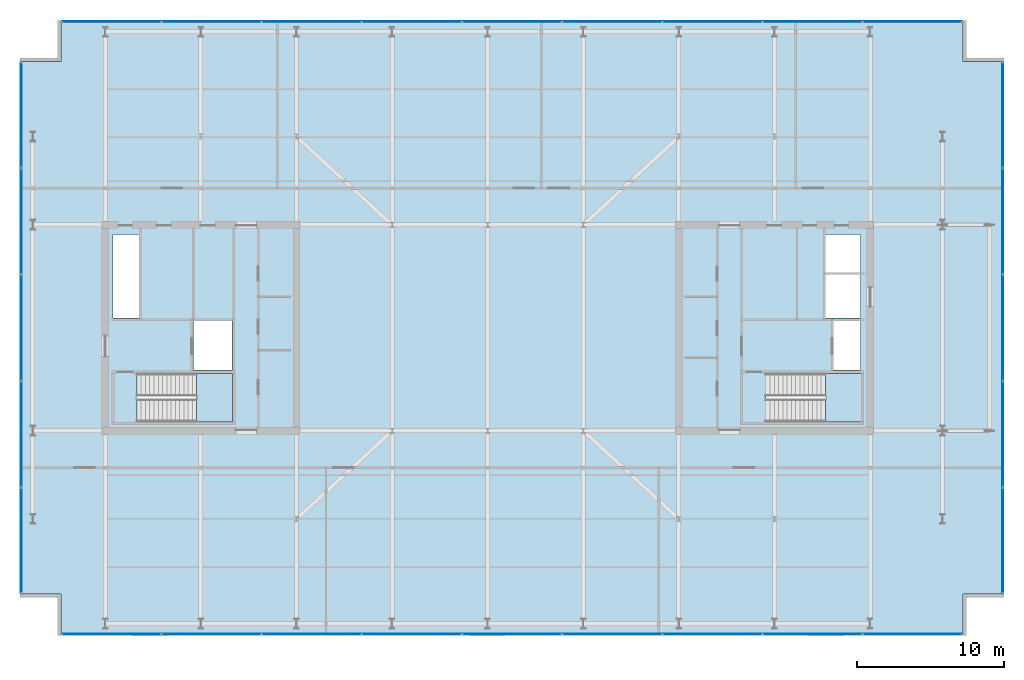
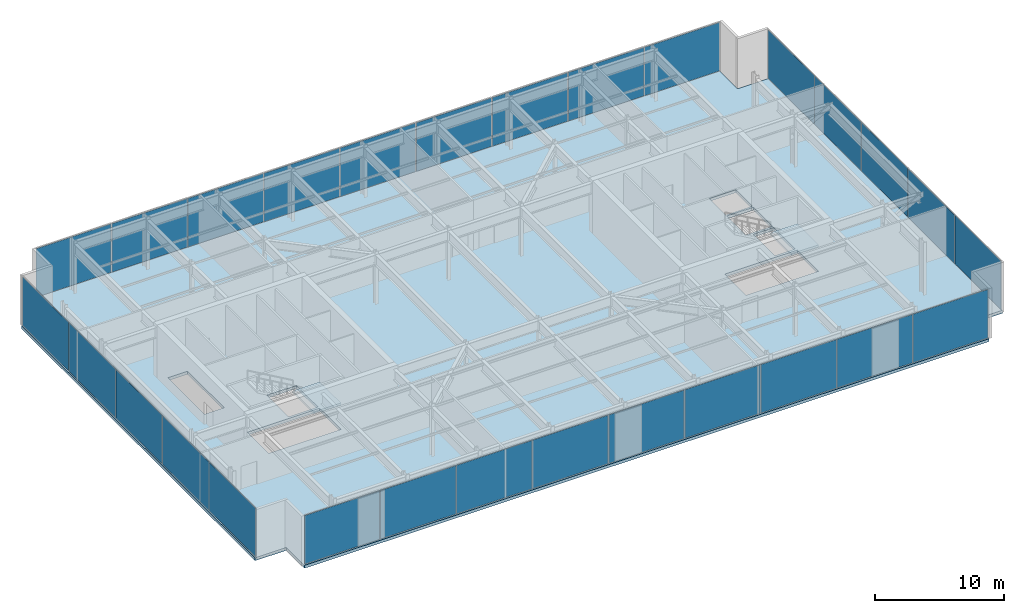
# One storey, part 16 of 23: 28 plates, 3 slabs, 6 elements without a shape of their own.
"""IFC4 building model written with IfcOpenShell, lengths in metres."""

from ifc_helpers import new_model, si_unit, direction, frame, origin, origin_2d, place, context, subcontext, project, spatial, polyline, rectangle, outline, extrude, material, layer, layer_set, type_object, element, aggregate, save


model = new_model("IFC4")

# Units and contexts
model_context = context("Model", 3, precision=1e-05, world=origin(), true_north=direction((0.0, 1.0)))
body_context = subcontext(model_context, "Body", "Model", "MODEL_VIEW")
ifc_project = project(units=[si_unit("LENGTHUNIT", "METRE"), si_unit("AREAUNIT", "SQUARE_METRE"), si_unit("VOLUMEUNIT", "CUBIC_METRE"), si_unit("PLANEANGLEUNIT", "RADIAN"), si_unit("MASSUNIT", "GRAM", prefix="KILO")], contexts=[model_context])

# Site, building, storey
site_placement = place(None, origin())
site = spatial("IfcSite", under=ifc_project, at=site_placement, CompositionType="ELEMENT")
building_placement = place(site_placement, origin())
building = spatial("IfcBuilding", under=site, at=building_placement, Name="Putna Gate Headquarters", CompositionType="ELEMENT")
storey_placement = place(building_placement, frame((0.0, 0.0, 310.39990234375)))
storey = spatial("IfcBuildingStorey", under=building, at=storey_placement, Name="L78", CompositionType="ELEMENT", Elevation=310.39990234375)

# Stair, slab
ifc_material_1 = material(Name="Concrete C40/50", Category="concrete")
stair_type_1 = type_object("IfcStairType", Name="STAIR-ST1", PredefinedType="HALF_TURN_STAIR", material=ifc_material_1)
stair_1_placement = place(storey_placement, origin())
stair_1 = element("IfcStair", 1, at=stair_1_placement, inside=storey, type_object=stair_type_1, Name="L78 West Core Exit Stair ST1", PredefinedType="HALF_TURN_STAIR")
ifc_layer_1 = layer(ifc_material_1, 0.199951171875)
ifc_layer_set_1 = layer_set([ifc_layer_1], Name="Concrete C40/50")
slab_type_1 = type_object("IfcSlabType", Name="LANDING-ST1", PredefinedType="LANDING", material=ifc_layer_set_1)
slab_1_placement = place(storey_placement, frame((0.0, 0.0, 2.300048828125)))
slab_1 = element("IfcSlab", 2, at=slab_1_placement, type_object=slab_type_1, Name="ST1 landing 1", PredefinedType="LANDING", context=body_context, shape_type="SweptSolid", body=[
    extrude(outline(polyline([(19.2099609375, 19.60009765625), (21.64990234375, 19.60009765625), (21.64990234375, 22.89990234375), (19.2099609375, 22.89990234375), (19.2099609375, 19.60009765625)])), origin(), (0.0, 0.0, 1.0), 0.199951171875),
])
aggregate(stair_1, [slab_1])

stair_type_2 = type_object("IfcStairType", Name="STAIR-ST2", PredefinedType="HALF_TURN_STAIR", material=ifc_material_1)
stair_2_placement = place(storey_placement, origin())
stair_2 = element("IfcStair", 3, at=stair_2_placement, inside=storey, type_object=stair_type_2, Name="L78 East Core Exit Stair ST2", PredefinedType="HALF_TURN_STAIR")
ifc_layer_2 = layer(ifc_material_1, 0.199951171875)
ifc_layer_set_2 = layer_set([ifc_layer_2], Name="Concrete C40/50")
slab_type_2 = type_object("IfcSlabType", Name="LANDING-ST2", PredefinedType="LANDING", material=ifc_layer_set_2)
slab_2_placement = place(storey_placement, frame((0.0, 0.0, 2.300048828125)))
slab_2 = element("IfcSlab", 4, at=slab_2_placement, type_object=slab_type_2, Name="ST2 landing 1", PredefinedType="LANDING", context=body_context, shape_type="SweptSolid", body=[
    extrude(outline(polyline([(61.9599609375, 19.60009765625), (64.39990234375, 19.60009765625), (64.39990234375, 22.89990234375), (61.9599609375, 22.89990234375), (61.9599609375, 19.60009765625)])), origin(), (0.0, 0.0, 1.0), 0.199951171875),
])
aggregate(stair_2, [slab_2])

# Curtain wall, plates
ifc_material_2 = material(Name="Anodised bronze aluminium curtain wall", Category="aluminium")
ifc_layer_3 = layer(ifc_material_2, 0.159912109375)
ifc_layer_set_3 = layer_set([ifc_layer_3], Name="Anodised bronze aluminium curtain wall")
curtain_wall_type = type_object("IfcCurtainWallType", Name="CW-SYS-CRN", PredefinedType="USERDEFINED", material=ifc_layer_set_3)
curtain_wall_1_placement = place(storey_placement, origin())
curtain_wall_1 = element("IfcCurtainWall", 5, at=curtain_wall_1_placement, inside=storey, type_object=curtain_wall_type, Name="L78 Acoustic Louvre South Enclosure", ObjectType="STICK CURTAIN WALL", PredefinedType="USERDEFINED")
ifc_material_3 = material(Name="Anodised bronze acoustic louvre panel", Category="aluminium")
ifc_layer_4 = layer(ifc_material_3, 0.044921875)
ifc_layer_set_4 = layer_set([ifc_layer_4], Name="Anodised bronze acoustic louvre panel")
plate_type = type_object("IfcPlateType", Name="PAN-CWP-CR", PredefinedType="CURTAIN_PANEL", material=ifc_layer_set_4)
plate_1_placement = place(storey_placement, frame((13.421875, 5.179931640625, 0.06494140625), z_axis=(0.0, 0.0, 1.0), x_axis=(1.0, 0.0, 0.0)))
plate_1 = element("IfcPlate", 6, at=plate_1_placement, type_object=plate_type, Name="CWS-CR panel 1.1", PredefinedType="CURTAIN_PANEL", context=body_context, shape_type="SweptSolid", body=[
    extrude(rectangle(XDim=6.713623046875, YDim=0.044921875, at=origin_2d()), origin(), (0.0, 0.0, 1.0), 4.590087890625),
])
plate_2_placement = place(storey_placement, frame((20.216552734375, 5.179931640625, 0.06494140625), z_axis=(0.0, 0.0, 1.0), x_axis=(1.0, 0.0, 0.0)))
plate_2 = element("IfcPlate", 7, at=plate_2_placement, type_object=plate_type, Name="CWS-CR panel 2.1", PredefinedType="CURTAIN_PANEL", context=body_context, shape_type="SweptSolid", body=[
    extrude(rectangle(XDim=6.74609375, YDim=0.044921875, at=origin_2d()), origin(), (0.0, 0.0, 1.0), 4.590087890625),
])
plate_3_placement = place(storey_placement, frame((27.02783203125, 5.179931640625, 0.06494140625), z_axis=(0.0, 0.0, 1.0), x_axis=(1.0, 0.0, 0.0)))
plate_3 = element("IfcPlate", 8, at=plate_3_placement, type_object=plate_type, Name="CWS-CR panel 3.1", PredefinedType="CURTAIN_PANEL", context=body_context, shape_type="SweptSolid", body=[
    extrude(rectangle(XDim=6.74609375, YDim=0.044921875, at=origin_2d()), origin(), (0.0, 0.0, 1.0), 4.590087890625),
])
plate_4_placement = place(storey_placement, frame((33.8388671875, 5.179931640625, 0.06494140625), z_axis=(0.0, 0.0, 1.0), x_axis=(1.0, 0.0, 0.0)))
plate_4 = element("IfcPlate", 9, at=plate_4_placement, type_object=plate_type, Name="CWS-CR panel 4.1", PredefinedType="CURTAIN_PANEL", context=body_context, shape_type="SweptSolid", body=[
    extrude(rectangle(XDim=6.74609375, YDim=0.044921875, at=origin_2d()), origin(), (0.0, 0.0, 1.0), 4.590087890625),
])
plate_5_placement = place(storey_placement, frame((40.64990234375, 5.179931640625, 0.06494140625), z_axis=(0.0, 0.0, 1.0), x_axis=(1.0, 0.0, 0.0)))
plate_5 = element("IfcPlate", 10, at=plate_5_placement, type_object=plate_type, Name="CWS-CR panel 5.1", PredefinedType="CURTAIN_PANEL", context=body_context, shape_type="SweptSolid", body=[
    extrude(rectangle(XDim=6.74609375, YDim=0.044921875, at=origin_2d()), origin(), (0.0, 0.0, 1.0), 4.590087890625),
])
plate_6_placement = place(storey_placement, frame((47.461181640625, 5.179931640625, 0.06494140625), z_axis=(0.0, 0.0, 1.0), x_axis=(1.0, 0.0, 0.0)))
plate_6 = element("IfcPlate", 11, at=plate_6_placement, type_object=plate_type, Name="CWS-CR panel 6.1", PredefinedType="CURTAIN_PANEL", context=body_context, shape_type="SweptSolid", body=[
    extrude(rectangle(XDim=6.74609375, YDim=0.044921875, at=origin_2d()), origin(), (0.0, 0.0, 1.0), 4.590087890625),
])
plate_7_placement = place(storey_placement, frame((54.272216796875, 5.179931640625, 0.06494140625), z_axis=(0.0, 0.0, 1.0), x_axis=(1.0, 0.0, 0.0)))
plate_7 = element("IfcPlate", 12, at=plate_7_placement, type_object=plate_type, Name="CWS-CR panel 7.1", PredefinedType="CURTAIN_PANEL", context=body_context, shape_type="SweptSolid", body=[
    extrude(rectangle(XDim=6.74609375, YDim=0.044921875, at=origin_2d()), origin(), (0.0, 0.0, 1.0), 4.590087890625),
])
plate_8_placement = place(storey_placement, frame((61.083251953125, 5.179931640625, 0.06494140625), z_axis=(0.0, 0.0, 1.0), x_axis=(1.0, 0.0, 0.0)))
plate_8 = element("IfcPlate", 13, at=plate_8_placement, type_object=plate_type, Name="CWS-CR panel 8.1", PredefinedType="CURTAIN_PANEL", context=body_context, shape_type="SweptSolid", body=[
    extrude(rectangle(XDim=6.74609375, YDim=0.044921875, at=origin_2d()), origin(), (0.0, 0.0, 1.0), 4.590087890625),
])
plate_9_placement = place(storey_placement, frame((67.878173828125, 5.179931640625, 0.06494140625), z_axis=(0.0, 0.0, 1.0), x_axis=(1.0, 0.0, 0.0)))
plate_9 = element("IfcPlate", 14, at=plate_9_placement, type_object=plate_type, Name="CWS-CR panel 9.1", PredefinedType="CURTAIN_PANEL", context=body_context, shape_type="SweptSolid", body=[
    extrude(rectangle(XDim=6.713623046875, YDim=0.044921875, at=origin_2d()), origin(), (0.0, 0.0, 1.0), 4.590087890625),
])
aggregate(curtain_wall_1, [plate_1, plate_2, plate_3, plate_4, plate_5, plate_6, plate_7, plate_8, plate_9])

curtain_wall_2_placement = place(storey_placement, origin())
curtain_wall_2 = element("IfcCurtainWall", 15, at=curtain_wall_2_placement, inside=storey, type_object=curtain_wall_type, Name="L78 Acoustic Louvre North Enclosure", ObjectType="STICK CURTAIN WALL", PredefinedType="USERDEFINED")
plate_10_placement = place(storey_placement, frame((13.421875, 46.820068359375, 0.06494140625), z_axis=(0.0, 0.0, 1.0), x_axis=(1.0, 0.0, 0.0)))
plate_10 = element("IfcPlate", 16, at=plate_10_placement, type_object=plate_type, Name="CWS-CR panel 1.1", PredefinedType="CURTAIN_PANEL", context=body_context, shape_type="SweptSolid", body=[
    extrude(rectangle(XDim=6.713623046875, YDim=0.044921875, at=origin_2d()), origin(), (0.0, 0.0, 1.0), 4.590087890625),
])
plate_11_placement = place(storey_placement, frame((20.216552734375, 46.820068359375, 0.06494140625), z_axis=(0.0, 0.0, 1.0), x_axis=(1.0, 0.0, 0.0)))
plate_11 = element("IfcPlate", 17, at=plate_11_placement, type_object=plate_type, Name="CWS-CR panel 2.1", PredefinedType="CURTAIN_PANEL", context=body_context, shape_type="SweptSolid", body=[
    extrude(rectangle(XDim=6.74609375, YDim=0.044921875, at=origin_2d()), origin(), (0.0, 0.0, 1.0), 4.590087890625),
])
plate_12_placement = place(storey_placement, frame((27.02783203125, 46.820068359375, 0.06494140625), z_axis=(0.0, 0.0, 1.0), x_axis=(1.0, 0.0, 0.0)))
plate_12 = element("IfcPlate", 18, at=plate_12_placement, type_object=plate_type, Name="CWS-CR panel 3.1", PredefinedType="CURTAIN_PANEL", context=body_context, shape_type="SweptSolid", body=[
    extrude(rectangle(XDim=6.74609375, YDim=0.044921875, at=origin_2d()), origin(), (0.0, 0.0, 1.0), 4.590087890625),
])
plate_13_placement = place(storey_placement, frame((33.8388671875, 46.820068359375, 0.06494140625), z_axis=(0.0, 0.0, 1.0), x_axis=(1.0, 0.0, 0.0)))
plate_13 = element("IfcPlate", 19, at=plate_13_placement, type_object=plate_type, Name="CWS-CR panel 4.1", PredefinedType="CURTAIN_PANEL", context=body_context, shape_type="SweptSolid", body=[
    extrude(rectangle(XDim=6.74609375, YDim=0.044921875, at=origin_2d()), origin(), (0.0, 0.0, 1.0), 4.590087890625),
])
plate_14_placement = place(storey_placement, frame((40.64990234375, 46.820068359375, 0.06494140625), z_axis=(0.0, 0.0, 1.0), x_axis=(1.0, 0.0, 0.0)))
plate_14 = element("IfcPlate", 20, at=plate_14_placement, type_object=plate_type, Name="CWS-CR panel 5.1", PredefinedType="CURTAIN_PANEL", context=body_context, shape_type="SweptSolid", body=[
    extrude(rectangle(XDim=6.74609375, YDim=0.044921875, at=origin_2d()), origin(), (0.0, 0.0, 1.0), 4.590087890625),
])
plate_15_placement = place(storey_placement, frame((47.461181640625, 46.820068359375, 0.06494140625), z_axis=(0.0, 0.0, 1.0), x_axis=(1.0, 0.0, 0.0)))
plate_15 = element("IfcPlate", 21, at=plate_15_placement, type_object=plate_type, Name="CWS-CR panel 6.1", PredefinedType="CURTAIN_PANEL", context=body_context, shape_type="SweptSolid", body=[
    extrude(rectangle(XDim=6.74609375, YDim=0.044921875, at=origin_2d()), origin(), (0.0, 0.0, 1.0), 4.590087890625),
])
plate_16_placement = place(storey_placement, frame((54.272216796875, 46.820068359375, 0.06494140625), z_axis=(0.0, 0.0, 1.0), x_axis=(1.0, 0.0, 0.0)))
plate_16 = element("IfcPlate", 22, at=plate_16_placement, type_object=plate_type, Name="CWS-CR panel 7.1", PredefinedType="CURTAIN_PANEL", context=body_context, shape_type="SweptSolid", body=[
    extrude(rectangle(XDim=6.74609375, YDim=0.044921875, at=origin_2d()), origin(), (0.0, 0.0, 1.0), 4.590087890625),
])
plate_17_placement = place(storey_placement, frame((61.083251953125, 46.820068359375, 0.06494140625), z_axis=(0.0, 0.0, 1.0), x_axis=(1.0, 0.0, 0.0)))
plate_17 = element("IfcPlate", 23, at=plate_17_placement, type_object=plate_type, Name="CWS-CR panel 8.1", PredefinedType="CURTAIN_PANEL", context=body_context, shape_type="SweptSolid", body=[
    extrude(rectangle(XDim=6.74609375, YDim=0.044921875, at=origin_2d()), origin(), (0.0, 0.0, 1.0), 4.590087890625),
])
plate_18_placement = place(storey_placement, frame((67.878173828125, 46.820068359375, 0.06494140625), z_axis=(0.0, 0.0, 1.0), x_axis=(1.0, 0.0, 0.0)))
plate_18 = element("IfcPlate", 24, at=plate_18_placement, type_object=plate_type, Name="CWS-CR panel 9.1", PredefinedType="CURTAIN_PANEL", context=body_context, shape_type="SweptSolid", body=[
    extrude(rectangle(XDim=6.713623046875, YDim=0.044921875, at=origin_2d()), origin(), (0.0, 0.0, 1.0), 4.590087890625),
])
aggregate(curtain_wall_2, [plate_10, plate_11, plate_12, plate_13, plate_14, plate_15, plate_16, plate_17, plate_18])

curtain_wall_3_placement = place(storey_placement, origin())
curtain_wall_3 = element("IfcCurtainWall", 25, at=curtain_wall_3_placement, inside=storey, type_object=curtain_wall_type, Name="L78 Acoustic Louvre West Enclosure", ObjectType="STICK CURTAIN WALL", PredefinedType="USERDEFINED")
plate_19_placement = place(storey_placement, frame((7.280029296875, 11.5361328125, 0.06494140625), z_axis=(0.0, 0.0, 1.0), x_axis=(0.0, 1.0, 0.0)))
plate_19 = element("IfcPlate", 26, at=plate_19_placement, type_object=plate_type, Name="CWS-CR panel 1.1", PredefinedType="CURTAIN_PANEL", context=body_context, shape_type="SweptSolid", body=[
    extrude(rectangle(XDim=7.142578125, YDim=0.044921875, at=origin_2d()), origin(), (0.0, 0.0, 1.0), 4.590087890625),
])
plate_20_placement = place(storey_placement, frame((7.280029296875, 18.760009765625, 0.06494140625), z_axis=(0.0, 0.0, 1.0), x_axis=(0.0, 1.0, 0.0)))
plate_20 = element("IfcPlate", 27, at=plate_20_placement, type_object=plate_type, Name="CWS-CR panel 2.1", PredefinedType="CURTAIN_PANEL", context=body_context, shape_type="SweptSolid", body=[
    extrude(rectangle(XDim=7.175048828125, YDim=0.044921875, at=origin_2d()), origin(), (0.0, 0.0, 1.0), 4.590087890625),
])
plate_21_placement = place(storey_placement, frame((7.280029296875, 26.0, 0.06494140625), z_axis=(0.0, 0.0, 1.0), x_axis=(0.0, 1.0, 0.0)))
plate_21 = element("IfcPlate", 28, at=plate_21_placement, type_object=plate_type, Name="CWS-CR panel 3.1", PredefinedType="CURTAIN_PANEL", context=body_context, shape_type="SweptSolid", body=[
    extrude(rectangle(XDim=7.175048828125, YDim=0.044921875, at=origin_2d()), origin(), (0.0, 0.0, 1.0), 4.590087890625),
])
plate_22_placement = place(storey_placement, frame((7.280029296875, 33.239990234375, 0.06494140625), z_axis=(0.0, 0.0, 1.0), x_axis=(0.0, 1.0, 0.0)))
plate_22 = element("IfcPlate", 29, at=plate_22_placement, type_object=plate_type, Name="CWS-CR panel 4.1", PredefinedType="CURTAIN_PANEL", context=body_context, shape_type="SweptSolid", body=[
    extrude(rectangle(XDim=7.175048828125, YDim=0.044921875, at=origin_2d()), origin(), (0.0, 0.0, 1.0), 4.590087890625),
])
plate_23_placement = place(storey_placement, frame((7.280029296875, 40.4638671875, 0.06494140625), z_axis=(0.0, 0.0, 1.0), x_axis=(0.0, 1.0, 0.0)))
plate_23 = element("IfcPlate", 30, at=plate_23_placement, type_object=plate_type, Name="CWS-CR panel 5.1", PredefinedType="CURTAIN_PANEL", context=body_context, shape_type="SweptSolid", body=[
    extrude(rectangle(XDim=7.142578125, YDim=0.044921875, at=origin_2d()), origin(), (0.0, 0.0, 1.0), 4.590087890625),
])
aggregate(curtain_wall_3, [plate_19, plate_20, plate_21, plate_22, plate_23])

curtain_wall_4_placement = place(storey_placement, origin())
curtain_wall_4 = element("IfcCurtainWall", 31, at=curtain_wall_4_placement, inside=storey, type_object=curtain_wall_type, Name="L78 Acoustic Louvre East Enclosure", ObjectType="STICK CURTAIN WALL", PredefinedType="USERDEFINED")
plate_24_placement = place(storey_placement, frame((74.02001953125, 11.5361328125, 0.06494140625), z_axis=(0.0, 0.0, 1.0), x_axis=(0.0, 1.0, 0.0)))
plate_24 = element("IfcPlate", 32, at=plate_24_placement, type_object=plate_type, Name="CWS-CR panel 1.1", PredefinedType="CURTAIN_PANEL", context=body_context, shape_type="SweptSolid", body=[
    extrude(rectangle(XDim=7.142578125, YDim=0.044921875, at=origin_2d()), origin(), (0.0, 0.0, 1.0), 4.590087890625),
])
plate_25_placement = place(storey_placement, frame((74.02001953125, 18.760009765625, 0.06494140625), z_axis=(0.0, 0.0, 1.0), x_axis=(0.0, 1.0, 0.0)))
plate_25 = element("IfcPlate", 33, at=plate_25_placement, type_object=plate_type, Name="CWS-CR panel 2.1", PredefinedType="CURTAIN_PANEL", context=body_context, shape_type="SweptSolid", body=[
    extrude(rectangle(XDim=7.175048828125, YDim=0.044921875, at=origin_2d()), origin(), (0.0, 0.0, 1.0), 4.590087890625),
])
plate_26_placement = place(storey_placement, frame((74.02001953125, 26.0, 0.06494140625), z_axis=(0.0, 0.0, 1.0), x_axis=(0.0, 1.0, 0.0)))
plate_26 = element("IfcPlate", 34, at=plate_26_placement, type_object=plate_type, Name="CWS-CR panel 3.1", PredefinedType="CURTAIN_PANEL", context=body_context, shape_type="SweptSolid", body=[
    extrude(rectangle(XDim=7.175048828125, YDim=0.044921875, at=origin_2d()), origin(), (0.0, 0.0, 1.0), 4.590087890625),
])
plate_27_placement = place(storey_placement, frame((74.02001953125, 33.239990234375, 0.06494140625), z_axis=(0.0, 0.0, 1.0), x_axis=(0.0, 1.0, 0.0)))
plate_27 = element("IfcPlate", 35, at=plate_27_placement, type_object=plate_type, Name="CWS-CR panel 4.1", PredefinedType="CURTAIN_PANEL", context=body_context, shape_type="SweptSolid", body=[
    extrude(rectangle(XDim=7.175048828125, YDim=0.044921875, at=origin_2d()), origin(), (0.0, 0.0, 1.0), 4.590087890625),
])
plate_28_placement = place(storey_placement, frame((74.02001953125, 40.4638671875, 0.06494140625), z_axis=(0.0, 0.0, 1.0), x_axis=(0.0, 1.0, 0.0)))
plate_28 = element("IfcPlate", 36, at=plate_28_placement, type_object=plate_type, Name="CWS-CR panel 5.1", PredefinedType="CURTAIN_PANEL", context=body_context, shape_type="SweptSolid", body=[
    extrude(rectangle(XDim=7.142578125, YDim=0.044921875, at=origin_2d()), origin(), (0.0, 0.0, 1.0), 4.590087890625),
])
aggregate(curtain_wall_4, [plate_24, plate_25, plate_26, plate_27, plate_28])

# Slab
ifc_layer_5 = layer(ifc_material_1, 0.280029296875)
ifc_layer_set_5 = layer_set([ifc_layer_5], Name="Concrete C40/50")
slab_type_3 = type_object("IfcSlabType", Name="SLAB-PLANT-280", PredefinedType="FLOOR", material=ifc_layer_set_5)
slab_3_placement = place(storey_placement, frame((0.0, 0.0, -0.27978515625)))
element("IfcSlab", 37, at=slab_3_placement, inside=storey, type_object=slab_type_3, Name="L78 Composite Floor Slab", PredefinedType="FLOOR", context=body_context, shape_type="SweptSolid", body=[
    extrude(outline(polyline([(10.0, 5.10009765625), (71.300048828125, 5.10009765625), (71.300048828125, 7.89990234375), (74.10009765625, 7.89990234375), (74.10009765625, 44.10009765625), (71.300048828125, 44.10009765625), (71.300048828125, 46.89990234375), (10.0, 46.89990234375), (10.0, 44.10009765625), (7.199951171875, 44.10009765625), (7.199951171875, 7.89990234375), (10.0, 7.89990234375), (10.0, 5.10009765625)]), holes=[polyline([(15.1650390625, 19.60009765625), (21.64990234375, 19.60009765625), (21.64990234375, 22.89990234375), (15.1650390625, 22.89990234375), (15.1650390625, 19.60009765625)]), polyline([(57.9150390625, 19.60009765625), (64.39990234375, 19.60009765625), (64.39990234375, 22.89990234375), (57.9150390625, 22.89990234375), (57.9150390625, 19.60009765625)]), polyline([(13.52001953125, 26.659912109375), (15.280029296875, 26.659912109375), (15.280029296875, 32.35009765625), (13.52001953125, 32.35009765625), (13.52001953125, 26.659912109375)]), polyline([(61.969970703125, 29.780029296875), (64.35009765625, 29.780029296875), (64.35009765625, 32.35009765625), (61.969970703125, 32.35009765625), (61.969970703125, 29.780029296875)]), polyline([(18.97998046875, 23.1201171875), (21.6201171875, 23.1201171875), (21.6201171875, 26.4599609375), (18.97998046875, 26.4599609375), (18.97998046875, 23.1201171875)]), polyline([(62.52001953125, 23.1201171875), (64.35009765625, 23.1201171875), (64.35009765625, 26.4599609375), (62.52001953125, 26.4599609375), (62.52001953125, 23.1201171875)]), polyline([(61.969970703125, 26.659912109375), (64.35009765625, 26.659912109375), (64.35009765625, 29.6201171875), (61.969970703125, 29.6201171875), (61.969970703125, 26.659912109375)])]), origin(), (0.0, 0.0, 1.0), 0.27978515625),
])

save(model, "model.ifc")
